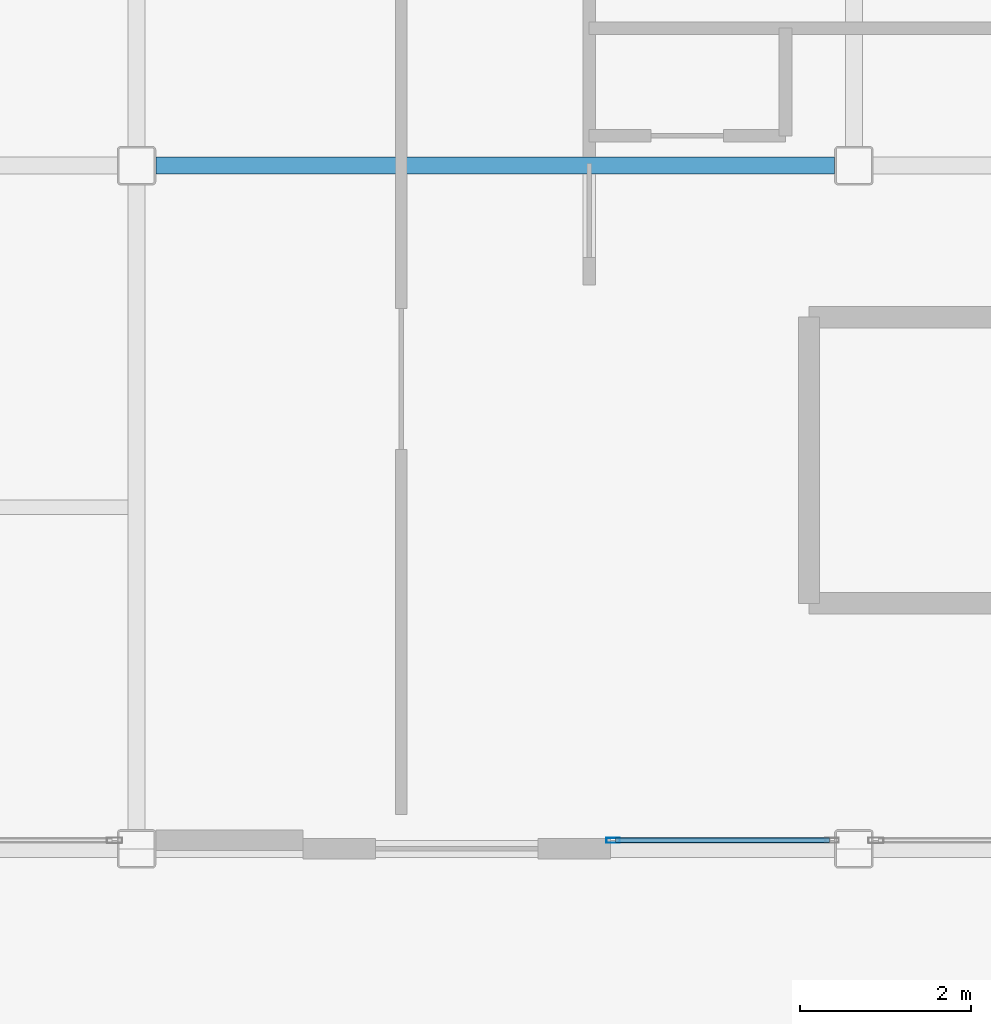
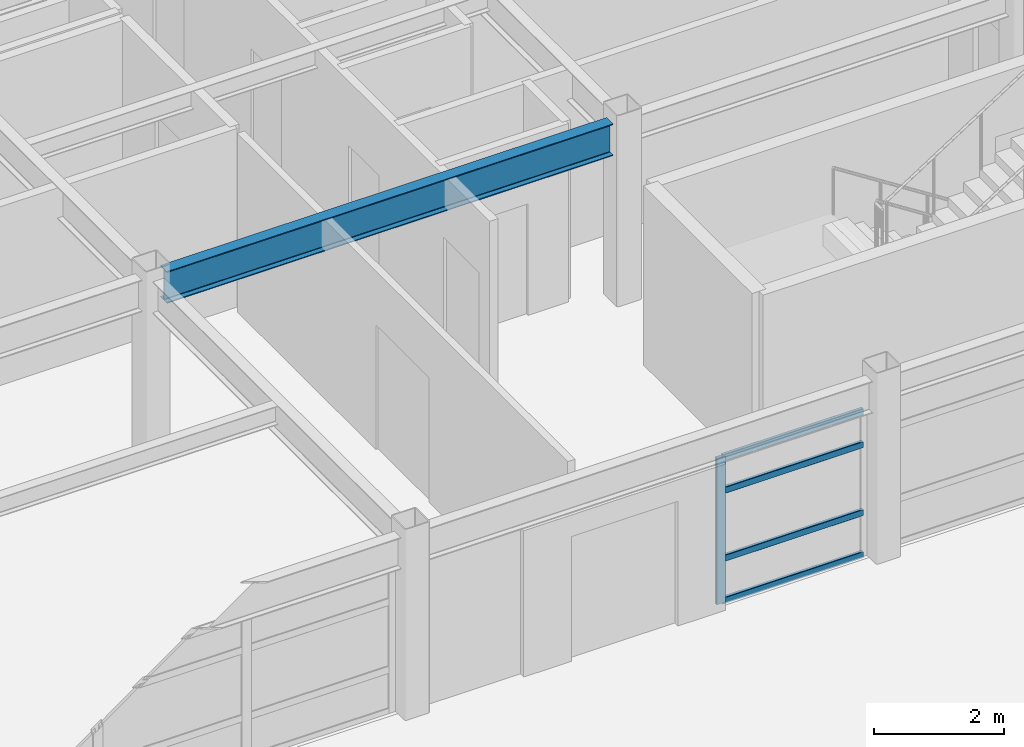
# One storey, part 5 of 28: 5 members, 1 beam, 1 element without a shape of its own.
"""IFC4 building model written with IfcOpenShell, lengths in metres."""

from ifc_helpers import new_model, si_unit, direction, frame, origin, origin_2d, place, context, subcontext, project, spatial, hollow_rectangle, i_section, extrude, material, layer, layer_set, material_profile, profile_set, type_object, element, aggregate, save


model = new_model("IFC4")

# Units and contexts
model_context = context("Model", 3, precision=1e-05, world=origin(), true_north=direction((0.0, 1.0)))
body_context = subcontext(model_context, "Body", "Model", "MODEL_VIEW")
ifc_project = project(units=[si_unit("LENGTHUNIT", "METRE"), si_unit("AREAUNIT", "SQUARE_METRE"), si_unit("VOLUMEUNIT", "CUBIC_METRE"), si_unit("PLANEANGLEUNIT", "RADIAN"), si_unit("MASSUNIT", "GRAM", prefix="KILO")], contexts=[model_context])

# Site, building, storey
site_placement = place(None, origin())
site = spatial("IfcSite", under=ifc_project, at=site_placement, CompositionType="ELEMENT")
building_placement = place(site_placement, origin())
building = spatial("IfcBuilding", under=site, at=building_placement, Name="Kazehara Bluff Congress Hotel", CompositionType="ELEMENT")
storey_placement = place(building_placement, frame((0.0, 0.0, 42.60009765625)))
storey = spatial("IfcBuildingStorey", under=building, at=storey_placement, Name="L10", CompositionType="ELEMENT", Elevation=42.60009765625)

# Curtain wall, members
ifc_material_1 = material(Name="Anodised aluminium", Category="aluminium")
ifc_layer = layer(ifc_material_1, 0.159912109375)
ifc_layer_set = layer_set([ifc_layer], Name="Anodised aluminium")
curtain_wall_type = type_object("IfcCurtainWallType", Name="TP-CW-197", PredefinedType="NOTDEFINED", material=ifc_layer_set)
curtain_wall_placement = place(storey_placement, origin())
curtain_wall = element("IfcCurtainWall", 1, at=curtain_wall_placement, inside=storey, type_object=curtain_wall_type, Name="L10 curtain wall CW-197 CW-ENC-V5-L10-15896-1610", PredefinedType="NOTDEFINED")
ifc_material_2 = material(Name="Anodised aluminium", Category="aluminium")
ifc_material_profile_1 = material_profile(ifc_material_2, hollow_rectangle(XDim=0.06005859375, YDim=0.159912109375, WallThickness=0.00390625, InnerFilletRadius=0.00390625, OuterFilletRadius=0.008056640625, at=origin_2d()))
ifc_profile_set_1 = profile_set([ifc_material_profile_1], Name="Anodised aluminium")
member_type_1 = type_object("IfcMemberType", Name="TP-CWM-01", PredefinedType="MULLION", material=ifc_profile_set_1)
member_1_placement = place(storey_placement, frame((157.679931640625, 16.10009765625, 0.0), z_axis=(0.0, 0.0, 1.0), x_axis=(0.0, -1.0, 0.0)))
member_1 = element("IfcMember", 2, at=member_1_placement, type_object=member_type_1, Name="CW-197 mullion 2", PredefinedType="MULLION", context=body_context, shape_type="SweptSolid", body=[
    extrude(hollow_rectangle(XDim=0.06005859375, YDim=0.159912109375, WallThickness=0.00390625, InnerFilletRadius=0.00390625, OuterFilletRadius=0.008056640625, at=origin_2d()), origin(), (0.0, 0.0, 1.0), 2.7548828125),
])
ifc_material_3 = material(Name="Anodised aluminium", Category="aluminium")
ifc_material_profile_2 = material_profile(ifc_material_3, hollow_rectangle(XDim=0.06005859375, YDim=0.1201171875, WallThickness=0.00390625, InnerFilletRadius=0.00390625, OuterFilletRadius=0.008056640625, at=origin_2d()))
ifc_profile_set_2 = profile_set([ifc_material_profile_2], Name="Anodised aluminium")
member_type_2 = type_object("IfcMemberType", Name="TP-CWT-01", PredefinedType="USERDEFINED", material=ifc_profile_set_2)
member_2_placement = place(storey_placement, frame((160.215087890625, 16.10009765625, 0.02978515625), z_axis=(-1.0, 0.0, 0.0), x_axis=(0.0, -1.0, 0.0)))
member_2 = element("IfcMember", 3, at=member_2_placement, type_object=member_type_2, Name="CW-197 transom 1.1", ObjectType="TRANSOM", PredefinedType="USERDEFINED", context=body_context, shape_type="SweptSolid", body=[
    extrude(hollow_rectangle(XDim=0.06005859375, YDim=0.1201171875, WallThickness=0.00390625, InnerFilletRadius=0.00390625, OuterFilletRadius=0.008056640625, at=origin_2d()), origin(), (0.0, 0.0, 1.0), 2.505126953125),
])
member_3_placement = place(storey_placement, frame((160.215087890625, 16.10009765625, 0.824951171875), z_axis=(-1.0, 0.0, 0.0), x_axis=(0.0, -1.0, 0.0)))
member_3 = element("IfcMember", 4, at=member_3_placement, type_object=member_type_2, Name="CW-197 transom 1.2", ObjectType="TRANSOM", PredefinedType="USERDEFINED", context=body_context, shape_type="SweptSolid", body=[
    extrude(hollow_rectangle(XDim=0.06005859375, YDim=0.1201171875, WallThickness=0.00390625, InnerFilletRadius=0.00390625, OuterFilletRadius=0.008056640625, at=origin_2d()), origin(), (0.0, 0.0, 1.0), 2.505126953125),
])
member_4_placement = place(storey_placement, frame((160.215087890625, 16.10009765625, 2.10498046875), z_axis=(-1.0, 0.0, 0.0), x_axis=(0.0, -1.0, 0.0)))
member_4 = element("IfcMember", 5, at=member_4_placement, type_object=member_type_2, Name="CW-197 transom 1.3", ObjectType="TRANSOM", PredefinedType="USERDEFINED", context=body_context, shape_type="SweptSolid", body=[
    extrude(hollow_rectangle(XDim=0.06005859375, YDim=0.1201171875, WallThickness=0.00390625, InnerFilletRadius=0.00390625, OuterFilletRadius=0.008056640625, at=origin_2d()), origin(), (0.0, 0.0, 1.0), 2.505126953125),
])
member_5_placement = place(storey_placement, frame((160.215087890625, 16.10009765625, 2.724853515625), z_axis=(-1.0, 0.0, 0.0), x_axis=(0.0, -1.0, 0.0)))
member_5 = element("IfcMember", 6, at=member_5_placement, type_object=member_type_2, Name="CW-197 transom 1.4", ObjectType="TRANSOM", PredefinedType="USERDEFINED", context=body_context, shape_type="SweptSolid", body=[
    extrude(hollow_rectangle(XDim=0.06005859375, YDim=0.1201171875, WallThickness=0.00390625, InnerFilletRadius=0.00390625, OuterFilletRadius=0.008056640625, at=origin_2d()), origin(), (0.0, 0.0, 1.0), 2.505126953125),
])
aggregate(curtain_wall, [member_1, member_2, member_3, member_4, member_5])

# Beam
ifc_material_4 = material(Name="Steel SN490B", Category="steel")
ifc_material_profile_3 = material_profile(ifc_material_4, i_section(OverallWidth=0.199951171875, OverallDepth=0.60009765625, WebThickness=0.010986328125, FlangeThickness=0.01708984375, FilletRadius=0.012939453125, at=origin_2d()))
ifc_profile_set_3 = profile_set([ifc_material_profile_3], Name="Steel SN490B")
beam_type = type_object("IfcBeamType", Name="TP-G-02", PredefinedType="BEAM", material=ifc_profile_set_3)
beam_placement = place(storey_placement, frame((152.324951171875, 24.0, 3.079833984375), z_axis=(1.0, 0.0, 0.0), x_axis=(0.0, 1.0, 0.0)))
element("IfcBeam", 7, at=beam_placement, inside=storey, type_object=beam_type, Name="L10 girder G-02 29", PredefinedType="BEAM", context=body_context, shape_type="SweptSolid", body=[
    extrude(i_section(OverallWidth=0.199951171875, OverallDepth=0.60009765625, WebThickness=0.010986328125, FlangeThickness=0.01708984375, FilletRadius=0.012939453125, at=origin_2d()), origin(), (0.0, 0.0, 1.0), 7.949951171875),
])

save(model, "model.ifc")
